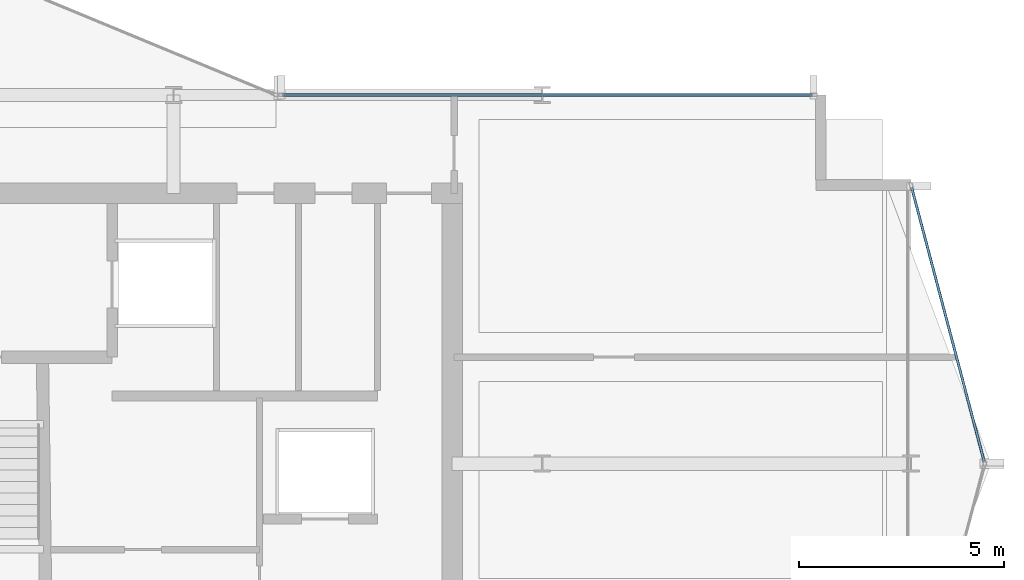
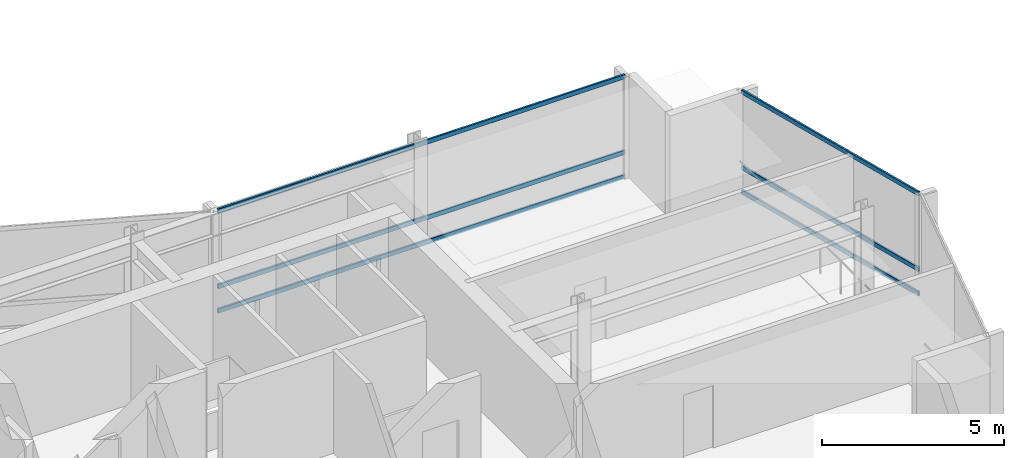
# One storey, part 13 of 27: 6 members, 2 elements without a shape of their own.
"""IFC4 building model written with IfcOpenShell, lengths in metres."""

from ifc_helpers import new_model, si_unit, direction, frame, origin, origin_2d, place, context, subcontext, project, spatial, hollow_rectangle, extrude, material, layer, layer_set, material_profile, profile_set, type_object, element, aggregate, save


model = new_model("IFC4")

# Units and contexts
model_context = context("Model", 3, precision=1e-05, world=origin(), true_north=direction((0.0, 1.0)))
body_context = subcontext(model_context, "Body", "Model", "MODEL_VIEW")
ifc_project = project(units=[si_unit("LENGTHUNIT", "METRE"), si_unit("AREAUNIT", "SQUARE_METRE"), si_unit("VOLUMEUNIT", "CUBIC_METRE"), si_unit("PLANEANGLEUNIT", "RADIAN"), si_unit("MASSUNIT", "GRAM", prefix="KILO")], contexts=[model_context])

# Site, building, storey
site_placement = place(None, origin())
site = spatial("IfcSite", under=ifc_project, at=site_placement, CompositionType="ELEMENT")
building_placement = place(site_placement, origin())
building = spatial("IfcBuilding", under=site, at=building_placement, Name="Solvaryn Broadcast Tower", CompositionType="ELEMENT")
storey_placement = place(building_placement, frame((0.0, 0.0, 189.0)))
storey = spatial("IfcBuildingStorey", under=building, at=storey_placement, Name="L47", CompositionType="ELEMENT", Elevation=189.0)

# Curtain wall, members
ifc_material_1 = material(Name="Aluminium and Terracotta Unitised Curtain Wall", Category="masonry")
ifc_layer = layer(ifc_material_1, 0.199951171875)
ifc_layer_set = layer_set([ifc_layer], Name="CW-SYS2-LOWMID")
curtain_wall_type = type_object("IfcCurtainWallType", Name="CW-SYS2-LOWMID", PredefinedType="NOTDEFINED", material=ifc_layer_set)
curtain_wall_1_placement = place(storey_placement, origin())
curtain_wall_1 = element("IfcCurtainWall", 1, at=curtain_wall_1_placement, inside=storey, type_object=curtain_wall_type, Name="L47 Curtain Wall ET1", PredefinedType="NOTDEFINED")
ifc_material_2 = material(Name="Anodised Aluminium 6063-T6", Category="aluminium")
ifc_material_profile = material_profile(ifc_material_2, hollow_rectangle(XDim=0.06494140625, YDim=0.14990234375, WallThickness=0.00390625, InnerFilletRadius=0.00390625, OuterFilletRadius=0.008056640625, at=origin_2d()))
ifc_profile_set = profile_set([ifc_material_profile], Name="Anodised Aluminium 6063-T6")
member_type = type_object("IfcMemberType", Name="CW-TRN-150", PredefinedType="USERDEFINED", material=ifc_profile_set)
member_1_placement = place(storey_placement, frame((54.015380859375, 24.741943359375, 0.030029296875), z_axis=(0.255897413051, -0.966703943301, 0.0), x_axis=(0.966703943301, 0.255897413051, 0.0)))
member_1 = element("IfcMember", 2, at=member_1_placement, type_object=member_type, Name="CWS2 transom 1.1", ObjectType="TRANSOM", PredefinedType="USERDEFINED", context=body_context, shape_type="SweptSolid", body=[
    extrude(hollow_rectangle(XDim=0.06494140625, YDim=0.14990234375, WallThickness=0.00390625, InnerFilletRadius=0.00390625, OuterFilletRadius=0.008056640625, at=origin_2d()), origin(), (0.0, 0.0, 1.0), 6.9140625),
])
member_2_placement = place(storey_placement, frame((54.015380859375, 24.741943359375, 0.85009765625), z_axis=(0.255897413051, -0.966703943301, 0.0), x_axis=(0.966703943301, 0.255897413051, 0.0)))
member_2 = element("IfcMember", 3, at=member_2_placement, type_object=member_type, Name="CWS2 transom 1.2", ObjectType="TRANSOM", PredefinedType="USERDEFINED", context=body_context, shape_type="SweptSolid", body=[
    extrude(hollow_rectangle(XDim=0.06494140625, YDim=0.14990234375, WallThickness=0.00390625, InnerFilletRadius=0.00390625, OuterFilletRadius=0.008056640625, at=origin_2d()), origin(), (0.0, 0.0, 1.0), 6.9140625),
])
member_3_placement = place(storey_placement, frame((54.015380859375, 24.741943359375, 3.389892578125), z_axis=(0.255897413051, -0.966703943301, 0.0), x_axis=(0.966703943301, 0.255897413051, 0.0)))
member_3 = element("IfcMember", 4, at=member_3_placement, type_object=member_type, Name="CWS2 transom 1.3", ObjectType="TRANSOM", PredefinedType="USERDEFINED", context=body_context, shape_type="SweptSolid", body=[
    extrude(hollow_rectangle(XDim=0.06494140625, YDim=0.14990234375, WallThickness=0.00390625, InnerFilletRadius=0.00390625, OuterFilletRadius=0.008056640625, at=origin_2d()), origin(), (0.0, 0.0, 1.0), 6.9140625),
])
aggregate(curtain_wall_1, [member_1, member_2, member_3])

curtain_wall_2_placement = place(storey_placement, origin())
curtain_wall_2 = element("IfcCurtainWall", 5, at=curtain_wall_2_placement, inside=storey, type_object=curtain_wall_type, Name="L47 Curtain Wall IH", PredefinedType="NOTDEFINED")
member_4_placement = place(storey_placement, frame((38.659912109375, 27.0, 0.030029296875), z_axis=(1.0, 0.0, 0.0), x_axis=(0.0, 1.0, 0.0)))
member_4 = element("IfcMember", 6, at=member_4_placement, type_object=member_type, Name="CWS2 transom 1.1", ObjectType="TRANSOM", PredefinedType="USERDEFINED", context=body_context, shape_type="SweptSolid", body=[
    extrude(hollow_rectangle(XDim=0.06494140625, YDim=0.14990234375, WallThickness=0.00390625, InnerFilletRadius=0.00390625, OuterFilletRadius=0.008056640625, at=origin_2d()), origin(), (0.0, 0.0, 1.0), 12.93017578125),
])
member_5_placement = place(storey_placement, frame((38.659912109375, 27.0, 0.85009765625), z_axis=(1.0, 0.0, 0.0), x_axis=(0.0, 1.0, 0.0)))
member_5 = element("IfcMember", 7, at=member_5_placement, type_object=member_type, Name="CWS2 transom 1.2", ObjectType="TRANSOM", PredefinedType="USERDEFINED", context=body_context, shape_type="SweptSolid", body=[
    extrude(hollow_rectangle(XDim=0.06494140625, YDim=0.14990234375, WallThickness=0.00390625, InnerFilletRadius=0.00390625, OuterFilletRadius=0.008056640625, at=origin_2d()), origin(), (0.0, 0.0, 1.0), 12.93017578125),
])
member_6_placement = place(storey_placement, frame((38.659912109375, 27.0, 3.389892578125), z_axis=(1.0, 0.0, 0.0), x_axis=(0.0, 1.0, 0.0)))
member_6 = element("IfcMember", 8, at=member_6_placement, type_object=member_type, Name="CWS2 transom 1.3", ObjectType="TRANSOM", PredefinedType="USERDEFINED", context=body_context, shape_type="SweptSolid", body=[
    extrude(hollow_rectangle(XDim=0.06494140625, YDim=0.14990234375, WallThickness=0.00390625, InnerFilletRadius=0.00390625, OuterFilletRadius=0.008056640625, at=origin_2d()), origin(), (0.0, 0.0, 1.0), 12.93017578125),
])
aggregate(curtain_wall_2, [member_4, member_5, member_6])

save(model, "model.ifc")
